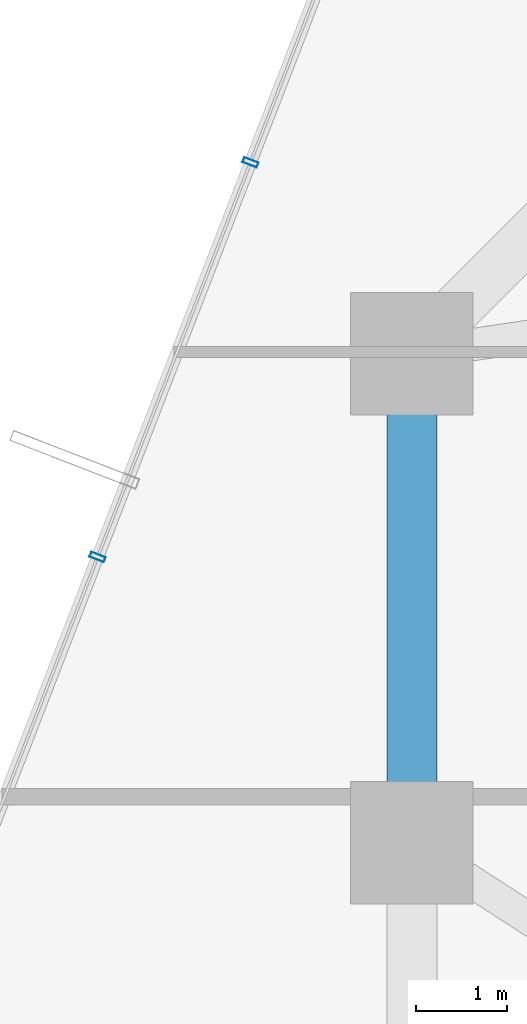
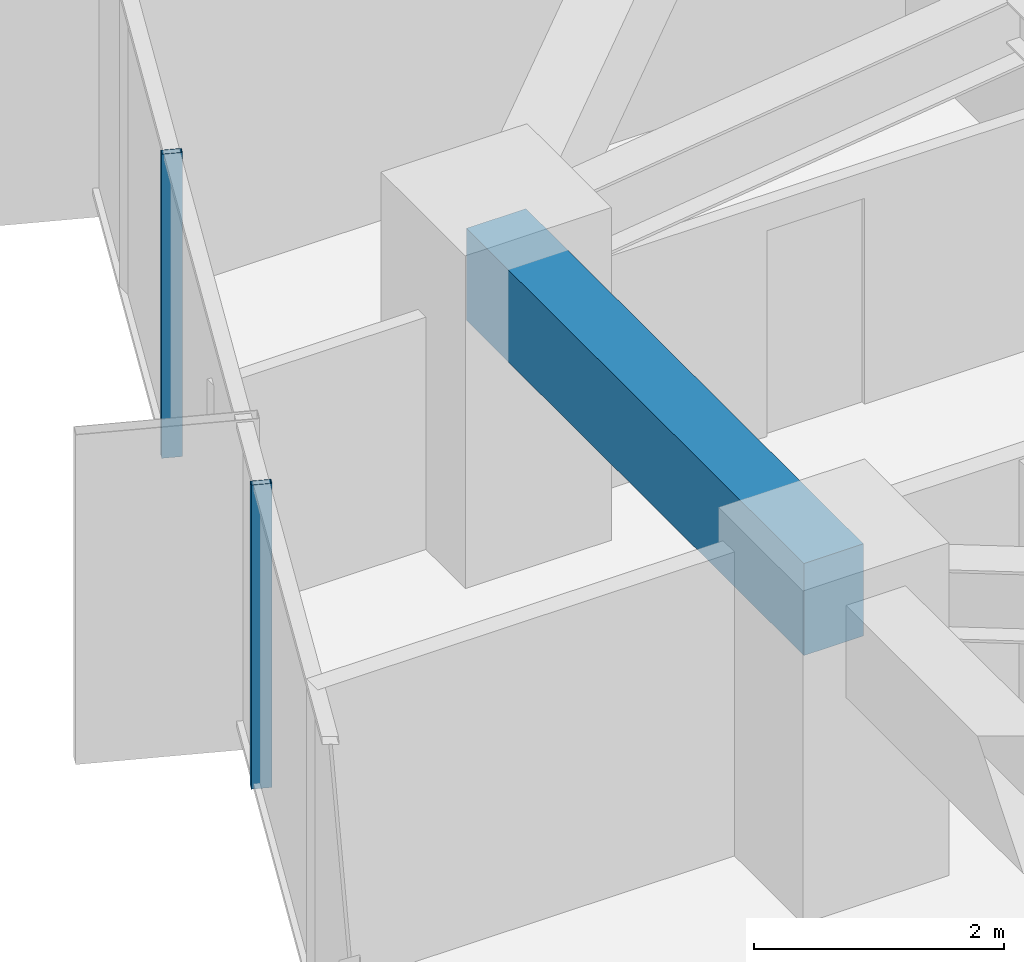
# One storey, part 12 of 37: 2 members, 1 beam, 1 element without a shape of its own.
"""IFC4 building model written with IfcOpenShell, lengths in metres."""

from ifc_helpers import new_model, si_unit, direction, frame, origin, origin_2d, place, context, subcontext, project, spatial, rectangle, hollow_rectangle, extrude, source, transform, mapped, material, layer, layer_set, material_profile, profile_set, type_object, element, aggregate, save


model = new_model("IFC4")

# Units and contexts
model_context = context("Model", 3, precision=1e-05, world=origin(), true_north=direction((0.0, 1.0)))
body_context = subcontext(model_context, "Body", "Model", "MODEL_VIEW")
ifc_project = project(units=[si_unit("LENGTHUNIT", "METRE"), si_unit("AREAUNIT", "SQUARE_METRE"), si_unit("VOLUMEUNIT", "CUBIC_METRE"), si_unit("PLANEANGLEUNIT", "RADIAN"), si_unit("MASSUNIT", "GRAM", prefix="KILO")], contexts=[model_context])

# Site, building, storey
site_placement = place(None, origin())
site = spatial("IfcSite", under=ifc_project, at=site_placement, CompositionType="ELEMENT")
building_placement = place(site_placement, origin())
building = spatial("IfcBuilding", under=site, at=building_placement, Name="Veraguas Prism Commons", CompositionType="ELEMENT")
storey_placement = place(building_placement, frame((0.0, 0.0, 53.300048828125)))
storey = spatial("IfcBuildingStorey", under=building, at=storey_placement, Name="L14", CompositionType="ELEMENT", Elevation=53.300048828125)

# Beam
ifc_material_1 = material(Name="Concrete C50/60", Category="concrete")
ifc_material_profile_1 = material_profile(ifc_material_1, rectangle(XDim=0.550048828125, YDim=0.89990234375, at=origin_2d()), Name="RC550X900")
ifc_profile_set_1 = profile_set([ifc_material_profile_1], Name="Concrete C50/60")
beam_type = type_object("IfcBeamType", Name="Perimeter Spandrel Lower RC 550x900", PredefinedType="SPANDREL", material=ifc_profile_set_1)
beam_placement = place(storey_placement, frame((6.39990234375, 29.39990234375, 2.52001953125), z_axis=(0.0, -1.0, 0.0), x_axis=(1.0, 0.0, 0.0)))
element("IfcBeam", 1, at=beam_placement, inside=storey, type_object=beam_type, Name="Perimeter Spandrel Beam L14-SP07", PredefinedType="SPANDREL", context=body_context, shape_type="SweptSolid", body=[
    extrude(rectangle(XDim=0.550048828125, YDim=0.89990234375, at=origin_2d()), origin(), (0.0, 0.0, 1.0), 5.39990234375),
])

# Curtain wall, members
ifc_material_2 = material(Name="Anodised aluminium EN AW-6063 T6", Category="aluminium")
ifc_layer = layer(ifc_material_2, 0.169921875, Name="Unitised Flush Curtain Wall Zone 1", Category="aluminium")
ifc_layer_set = layer_set([ifc_layer], Name="Anodised aluminium EN AW-6063 T6")
curtain_wall_type = type_object("IfcCurtainWallType", Name="Unitised Flush Curtain Wall Zone 1", PredefinedType="NOTDEFINED", material=ifc_layer_set)
curtain_wall_placement = place(storey_placement, origin())
curtain_wall = element("IfcCurtainWall", 2, at=curtain_wall_placement, inside=storey, type_object=curtain_wall_type, Name="Tower Facade Curtain Wall L14-F3", PredefinedType="NOTDEFINED")
ifc_material_profile_2 = material_profile(ifc_material_2, hollow_rectangle(XDim=0.06005859375, YDim=0.169921875, WallThickness=0.00390625, at=origin_2d()), Name="AL60X170X4")
ifc_profile_set_2 = profile_set([ifc_material_profile_2], Name="Anodised aluminium EN AW-6063 T6")
member_type = type_object("IfcMemberType", Name="Curtain Wall Mullion Lower AL 60x170x4", PredefinedType="MULLION", material=ifc_profile_set_2)
shared_shape = source(origin(), body_context, "Body", "SweptSolid", [
    extrude(hollow_rectangle(XDim=0.06005859375, YDim=0.169921875, WallThickness=0.00390625, at=origin_2d()), origin(), (0.0, 0.0, 1.0), 2.969970703125),
])
member_1_placement = place(storey_placement, frame((4.619384765625, 31.509521484375, 0.0), z_axis=(0.0, 0.0, 1.0), x_axis=(-0.361294223355, -0.932451866946, 0.0)))
member_1 = element("IfcMember", 3, at=member_1_placement, type_object=member_type, Name="CW-Z1 Mullion 3", PredefinedType="MULLION", context=body_context, shape_type="MappedRepresentation", body=[
    mapped(shared_shape, transform((0.0, 0.0, 0.0), scale=1.0)),
])
member_2_placement = place(storey_placement, frame((2.931884765625, 27.154052734375, 0.0), z_axis=(0.0, 0.0, 1.0), x_axis=(-0.361294223355, -0.932451866946, 0.0)))
member_2 = element("IfcMember", 4, at=member_2_placement, type_object=member_type, Name="CW-Z1 Mullion 4", PredefinedType="MULLION", context=body_context, shape_type="MappedRepresentation", body=[
    mapped(shared_shape, transform((0.0, 0.0, 0.0), scale=1.0)),
])
aggregate(curtain_wall, [member_1, member_2])

save(model, "model.ifc")
